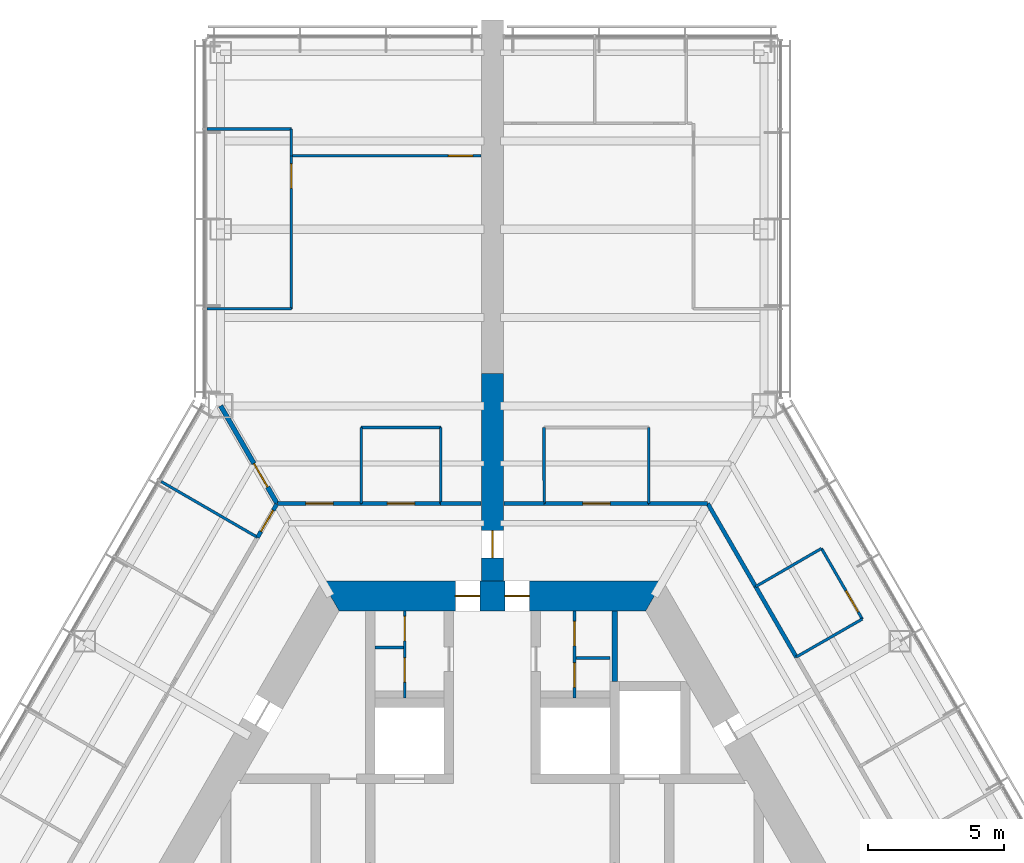
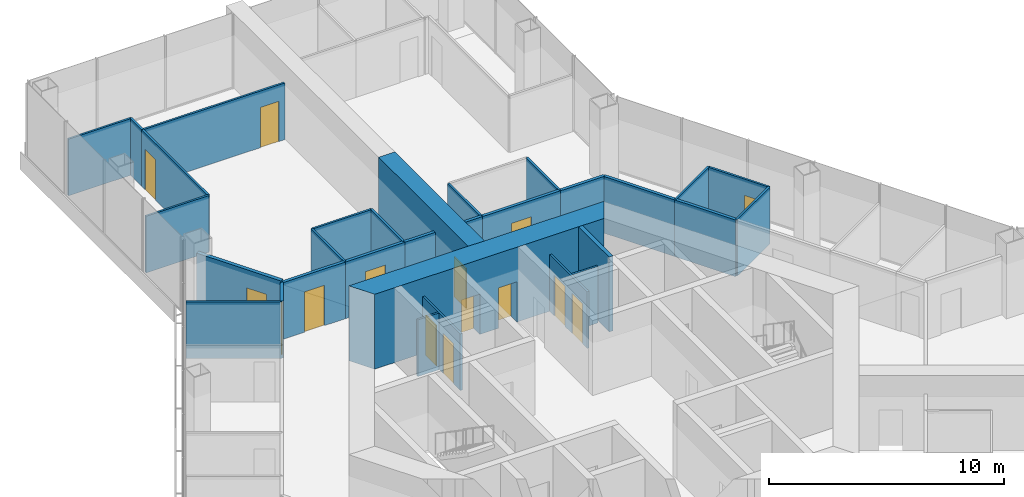
# One storey, part 15 of 19: 31 walls, 15 doors, 15 openings.
"""IFC4 building model written with IfcOpenShell, lengths in metres."""

import ifcopenshell
import ifcopenshell.guid

model = None  # the IFC model being written
_history = None  # IfcOwnerHistory: only IFC2X3 demands one
_inside = {}  # id of a spatial element -> (the spatial element, [elements in it])
_under = {}  # id of a project, library or spatial element -> (it, [spatial elements below it])
_declared = {}  # id of a project -> (the project, [libraries it declares])
_typed = {}  # id of a type object -> (the type object, [elements of that type])
_made_of = {}  # id of a material, layer set ... -> (it, [elements and type objects made of it])


def new_model(schema):
    """Start an empty IFC model of exactly this schema.

    Asked for "IFC4X3", IfcOpenShell would pick the latest addendum, in which some entities
    have other attributes; the version numbers below select the first issue.
    IFC2X3 requires an IfcOwnerHistory on every rooted entity: one is made here for all.
    """
    global model, _history
    if schema == "IFC4X3":
        model = ifcopenshell.file(schema_version=(4, 3, 0, 0))
    else:
        model = ifcopenshell.file(schema=schema)
    _inside.clear()
    _under.clear()
    _declared.clear()
    _typed.clear()
    _made_of.clear()
    _history = None
    if model.schema == "IFC2X3":
        org = make("IfcOrganization", Name="unknown")
        user = make(
            "IfcPersonAndOrganization",
            ThePerson=make("IfcPerson", FamilyName="unknown"),
            TheOrganization=org,
        )
        app = make(
            "IfcApplication",
            ApplicationDeveloper=org,
            Version="unknown",
            ApplicationFullName="unknown",
            ApplicationIdentifier="unknown",
        )
        _history = make(
            "IfcOwnerHistory",
            OwningUser=user,
            OwningApplication=app,
            ChangeAction="ADDED",
            CreationDate=0,
        )
    return model


def make(cls, **values):
    """One entity of the class cls with the attributes given. An attribute that is None is left unset."""
    return model.create_entity(
        cls, **{name: value for name, value in values.items() if value is not None}
    )


def rooted(cls, **values):
    """An entity with a GlobalId (a new one), such as an element, a storey or a relation."""
    return make(cls, GlobalId=ifcopenshell.guid.new(), OwnerHistory=_history, **values)


def si_unit(unit_type, name, prefix=None):
    """IfcSIUnit, for example si_unit("LENGTHUNIT", "METRE", prefix="MILLI")."""
    return make("IfcSIUnit", UnitType=unit_type, Prefix=prefix, Name=name)


def assignment(units):
    """IfcUnitAssignment: the units of a project."""
    return None if units is None else make("IfcUnitAssignment", Units=units)


def point(xyz):
    """IfcCartesianPoint."""
    return None if xyz is None else make("IfcCartesianPoint", Coordinates=xyz)


def direction(xyz):
    """IfcDirection."""
    return None if xyz is None else make("IfcDirection", DirectionRatios=xyz)


def frame(location, z_axis=None, x_axis=None):
    """IfcAxis2Placement3D, a coordinate frame: its origin and axes. An axis left out is left unset."""
    return make(
        "IfcAxis2Placement3D",
        Location=point(location),
        Axis=direction(z_axis),
        RefDirection=direction(x_axis),
    )


def frame_2d(location, x_axis=None):
    """IfcAxis2Placement2D, a coordinate frame in the plane: its origin and x axis."""
    return make(
        "IfcAxis2Placement2D", Location=point(location), RefDirection=direction(x_axis)
    )


def origin():
    """The frame at (0, 0, 0) with its axes left unset."""
    return frame((0.0, 0.0, 0.0))


def place(relative_to, where):
    """IfcLocalPlacement: puts the frame where relative to a parent placement (None: the world)."""
    return make(
        "IfcLocalPlacement", PlacementRelTo=relative_to, RelativePlacement=where
    )


def context(
    kind, dimensions, precision=None, world=None, true_north=None, identifier=None
):
    """IfcGeometricRepresentationContext, for example the 3D "Model" context."""
    return make(
        "IfcGeometricRepresentationContext",
        ContextIdentifier=identifier,
        ContextType=kind,
        CoordinateSpaceDimension=dimensions,
        Precision=precision,
        WorldCoordinateSystem=world,
        TrueNorth=true_north,
    )


def subcontext(parent, identifier, kind, view, scale=None):
    """IfcGeometricRepresentationSubContext, for example "Body" below "Model"."""
    return make(
        "IfcGeometricRepresentationSubContext",
        ContextIdentifier=identifier,
        ContextType=kind,
        ParentContext=parent,
        TargetScale=scale,
        TargetView=view,
    )


def project(units=None, contexts=None):
    """IfcProject with its units and contexts."""
    return rooted(
        "IfcProject",
        Name="project",
        RepresentationContexts=contexts,
        UnitsInContext=assignment(units),
    )


def spatial(cls, under=None, at=None, **own):
    """A site, building, storey or space (cls), placed at a placement, below another one or the project."""
    s = rooted(cls, ObjectPlacement=at, **own)
    if under is not None:
        _under.setdefault(under.id(), (under, []))[1].append(s)
    return s


def polyline(points):
    """IfcPolyline through the points."""
    return make("IfcPolyline", Points=[point(p) for p in points])


def profile(cls, at=None, kind="AREA", **sizes):
    """A parametric profile (cls). Its sizes go by their IFC names, for example OverallWidth=200.0."""
    return make(cls, ProfileType=kind, Position=at, **sizes)


def rectangle(**sizes):
    """IfcRectangleProfileDef."""
    return profile("IfcRectangleProfileDef", **sizes)


def outline(outer, holes=None, kind="AREA"):
    """IfcArbitraryClosedProfileDef: a profile drawn as a closed curve; with holes, ...WithVoids."""
    if holes is None:
        return make("IfcArbitraryClosedProfileDef", ProfileType=kind, OuterCurve=outer)
    return make(
        "IfcArbitraryProfileDefWithVoids",
        ProfileType=kind,
        OuterCurve=outer,
        InnerCurves=holes,
    )


def extrude(swept, where, along, depth):
    """IfcExtrudedAreaSolid: the profile swept, set in the frame where, extruded along a direction by depth."""
    return make(
        "IfcExtrudedAreaSolid",
        SweptArea=swept,
        Position=where,
        ExtrudedDirection=direction(along),
        Depth=depth,
    )


def shape(context_of_items, identifier, shape_type, items):
    """IfcShapeRepresentation: the items that make up one representation, for example the "Body"."""
    return make(
        "IfcShapeRepresentation",
        ContextOfItems=context_of_items,
        RepresentationIdentifier=identifier,
        RepresentationType=shape_type,
        Items=items,
    )


def material(Name=None, Category=None):
    """IfcMaterial."""
    return make("IfcMaterial", Name=Name, Category=Category)


def layer(
    of_material, thickness, ventilated=None, Name=None, Category=None, Priority=None
):
    """IfcMaterialLayer: one layer of a wall or slab, of a material (None: an air gap)."""
    return make(
        "IfcMaterialLayer",
        Material=of_material,
        LayerThickness=thickness,
        IsVentilated=ventilated,
        Name=Name,
        Category=Category,
        Priority=Priority,
    )


def layer_set(layers, Name=None):
    """IfcMaterialLayerSet."""
    return make("IfcMaterialLayerSet", MaterialLayers=layers, LayerSetName=Name)


def made_of(thing, what):
    """Note that an element or type object is made of a material, layer set ...; save() writes the relation."""
    if what is not None:
        _made_of.setdefault(what.id(), (what, []))[1].append(thing)
    return thing


def type_object(cls, material=None, **own):
    """A type object (cls), such as IfcWallType, which elements share."""
    return made_of(rooted(cls, **own), material)


def element(
    cls,
    number,
    at=None,
    inside=None,
    cuts=None,
    type_object=None,
    material=None,
    context=None,
    identifier="Body",
    shape_type=None,
    held_by="IfcProductDefinitionShape",
    body=None,
    shapes=None,
    **own,
):
    """One element of the class cls, such as IfcWall. Its Tag is "e" and its number.

    at: its placement. inside: the storey or other place that contains it. cuts: it is an
    opening in that element (IfcRelVoidsElement). A single representation is given by context,
    identifier, shape_type and body (its items); several are given by shapes. held_by: the class
    of the entity that holds the representations. save() writes the other relations.
    """
    e = rooted(cls, Tag="e%d" % number, ObjectPlacement=at, **own)
    if body is not None:
        shapes = [shape(context, identifier, shape_type, body)]
    if shapes is not None:
        e.Representation = make(held_by, Representations=shapes)
    if inside is not None:
        _inside.setdefault(inside.id(), (inside, []))[1].append(e)
    if cuts is not None:
        rooted(
            "IfcRelVoidsElement", RelatingBuildingElement=cuts, RelatedOpeningElement=e
        )
    if type_object is not None:
        _typed.setdefault(type_object.id(), (type_object, []))[1].append(e)
    return made_of(e, material)


def fill(opening, filler):
    """IfcRelFillsElement: the door or window that sits in an opening."""
    return rooted(
        "IfcRelFillsElement",
        RelatingOpeningElement=opening,
        RelatedBuildingElement=filler,
    )


def aggregate(whole, parts):
    """IfcRelAggregates: a whole, such as a stair, and the parts it consists of."""
    return rooted("IfcRelAggregates", RelatingObject=whole, RelatedObjects=parts)


def save(model, path):
    """Write the relations noted so far, then the file.

    IfcRelAggregates (storeys below a building ...), IfcRelContainedInSpatialStructure (elements
    in a storey), IfcRelDefinesByType, IfcRelAssociatesMaterial and IfcRelDeclares: one each for
    every whole, place, type object, material and project.
    """
    for whole, parts in _under.values():
        aggregate(whole, parts)
    for where, things in _inside.values():
        rooted(
            "IfcRelContainedInSpatialStructure",
            RelatedElements=things,
            RelatingStructure=where,
        )
    for kind, things in _typed.values():
        rooted("IfcRelDefinesByType", RelatedObjects=things, RelatingType=kind)
    for what, things in _made_of.values():
        rooted("IfcRelAssociatesMaterial", RelatedObjects=things, RelatingMaterial=what)
    for by, libraries in _declared.values():
        rooted("IfcRelDeclares", RelatingContext=by, RelatedDefinitions=libraries)
    model.write(path)


model = new_model("IFC4")

# Units and contexts
model_context = context("Model", 3, precision=1e-05, world=origin(), true_north=direction((0.0, 1.0)))
body_context = subcontext(model_context, "Body", "Model", "MODEL_VIEW")
ifc_project = project(units=[si_unit("LENGTHUNIT", "METRE"), si_unit("AREAUNIT", "SQUARE_METRE"), si_unit("VOLUMEUNIT", "CUBIC_METRE"), si_unit("PLANEANGLEUNIT", "RADIAN"), si_unit("MASSUNIT", "GRAM", prefix="KILO")], contexts=[model_context])

# Site, building, storey
site_placement = place(None, origin())
site = spatial("IfcSite", under=ifc_project, at=site_placement, CompositionType="ELEMENT")
building_placement = place(site_placement, origin())
building = spatial("IfcBuilding", under=site, at=building_placement, Name="Kasaneha Research Tower", CompositionType="ELEMENT")
storey_placement = place(building_placement, frame((0.0, 0.0, 96.300048828125)))
storey = spatial("IfcBuildingStorey", under=building, at=storey_placement, Name="L24", CompositionType="ELEMENT", Elevation=96.300048828125)

# Wall, openings, doors
ifc_material_1 = material(Name="Concrete Fc80", Category="concrete")
ifc_layer_1 = layer(ifc_material_1, 1.10009765625)
ifc_layer_set_1 = layer_set([ifc_layer_1], Name="Core wall 1100 Fc80")
wall_type_1 = type_object("IfcWallType", Name="Core wall 1100 Fc80", PredefinedType="SHEAR", material=ifc_layer_set_1)
wall_1_placement = place(storey_placement, frame((5.961181640625, 10.324951171875, 0.0), z_axis=(0.0, 0.0, 1.0), x_axis=(-1.0, 0.0, 0.0)))
wall_1 = element("IfcWall", 1, at=wall_1_placement, inside=storey, type_object=wall_type_1, Name="Core wall 090 L24", PredefinedType="SHEAR", context=body_context, shape_type="SweptSolid", body=[
    extrude(outline(polyline([(-0.317626953125, -0.550048828125), (4.5986328125, -0.550048828125), (5.49853515625, -0.550048828125), (6.423583984375, -0.550048828125), (7.323486328125, -0.550048828125), (12.239990234375, -0.550048828125), (11.604736328125, 0.550048828125), (7.323486328125, 0.550048828125), (6.423583984375, 0.550048828125), (5.49853515625, 0.550048828125), (4.5986328125, 0.550048828125), (0.317626953125, 0.550048828125), (-0.317626953125, -0.550048828125)])), origin(), (0.0, 0.0, 1.0), 3.89990234375),
])
opening_1_placement = place(wall_1_placement, frame((6.423583984375, 0.0, 0.0)))
opening_1 = element("IfcOpeningElement", 2, at=opening_1_placement, cuts=wall_1, Name="Opening L24-D01", PredefinedType="OPENING", context=body_context, shape_type="SweptSolid", body=[
    extrude(rectangle(XDim=0.89990234375, YDim=2.10009765625, at=frame_2d((0.449951171875, 1.050048828125))), frame((0.0, 0.56005859375, 0.0), z_axis=(0.0, -1.0, 0.0), x_axis=(1.0, 0.0, 0.0)), (0.0, 0.0, 1.0), 1.1201171875),
])
opening_2_placement = place(wall_1_placement, frame((4.5986328125, 0.0, 0.0)))
opening_2 = element("IfcOpeningElement", 3, at=opening_2_placement, cuts=wall_1, Name="Opening L24-D02", PredefinedType="OPENING", context=body_context, shape_type="SweptSolid", body=[
    extrude(rectangle(XDim=0.89990234375, YDim=2.10009765625, at=frame_2d((0.449951171875, 1.050048828125))), frame((0.0, 0.56005859375, 0.0), z_axis=(0.0, -1.0, 0.0), x_axis=(1.0, 0.0, 0.0)), (0.0, 0.0, 1.0), 1.1201171875),
])
ifc_material_2 = material(Name="Steel", Category="steel")
door_type_1 = type_object("IfcDoorType", Name="Toilet door FD20 900x2100", OperationType="NOTDEFINED", PredefinedType="DOOR", material=ifc_material_2)
door_1_placement = place(opening_1_placement, origin())
door_1 = element("IfcDoor", 4, at=door_1_placement, inside=storey, type_object=door_type_1, Name="Core door north 1 L24-D01", OperationType="SINGLE_SWING_RIGHT", OverallHeight=2.10009765625, OverallWidth=0.89990234375, PredefinedType="DOOR", context=body_context, shape_type="SweptSolid", body=[
    extrude(rectangle(XDim=0.89990234375, YDim=2.10009765625, at=frame_2d((0.449951171875, 1.050048828125))), frame((0.0, 0.02490234375, 0.0), z_axis=(0.0, -1.0, 0.0), x_axis=(1.0, 0.0, 0.0)), (0.0, 0.0, 1.0), 0.050048828125),
])
fill(opening_1, door_1)
door_2_placement = place(opening_2_placement, origin())
door_2 = element("IfcDoor", 5, at=door_2_placement, inside=storey, type_object=door_type_1, Name="Core door north 2 L24-D02", OperationType="SINGLE_SWING_LEFT", OverallHeight=2.10009765625, OverallWidth=0.89990234375, PredefinedType="DOOR", context=body_context, shape_type="SweptSolid", body=[
    extrude(rectangle(XDim=0.89990234375, YDim=2.10009765625, at=frame_2d((0.449951171875, 1.050048828125))), frame((0.0, 0.02490234375, 0.0), z_axis=(0.0, -1.0, 0.0), x_axis=(1.0, 0.0, 0.0)), (0.0, 0.0, 1.0), 0.050048828125),
])
fill(opening_2, door_2)

ifc_material_3 = material(Name="Gypsum board on steel studs, one layer each side", Category="steel")
ifc_layer_2 = layer(ifc_material_3, 0.10009765625)
ifc_layer_set_2 = layer_set([ifc_layer_2], Name="Office partition 100")
wall_type_2 = type_object("IfcWallType", Name="Office partition 100", PredefinedType="PARTITIONING", material=ifc_layer_set_2)
wall_2_placement = place(storey_placement, frame((-3.22509765625, 6.574951171875, 0.0), z_axis=(0.0, 0.0, 1.0), x_axis=(0.0, 1.0, 0.0)))
wall_2 = element("IfcWall", 6, at=wall_2_placement, inside=storey, type_object=wall_type_2, Name="Office partition TBM1 L24", PredefinedType="PARTITIONING", context=body_context, shape_type="SweptSolid", body=[
    extrude(rectangle(XDim=3.199951171875, YDim=0.10009765625, at=frame_2d((1.60009765625, 0.0))), origin(), (0.0, 0.0, 1.0), 2.949951171875),
])
opening_3_placement = place(wall_2_placement, frame((0.574951171875, 0.0, 0.0)))
opening_3 = element("IfcOpeningElement", 7, at=opening_3_placement, cuts=wall_2, Name="Opening L24-D20", PredefinedType="OPENING", context=body_context, shape_type="SweptSolid", body=[
    extrude(rectangle(XDim=0.89990234375, YDim=2.10009765625, at=frame_2d((0.449951171875, 1.050048828125))), frame((0.0, 0.06005859375, 0.0), z_axis=(0.0, -1.0, 0.0), x_axis=(1.0, 0.0, 0.0)), (0.0, 0.0, 1.0), 0.1201171875),
])
opening_4_placement = place(wall_2_placement, frame((2.10009765625, 0.0, 0.0)))
opening_4 = element("IfcOpeningElement", 8, at=opening_4_placement, cuts=wall_2, Name="Opening L24-D21", PredefinedType="OPENING", context=body_context, shape_type="SweptSolid", body=[
    extrude(rectangle(XDim=0.89990234375, YDim=2.10009765625, at=frame_2d((0.449951171875, 1.050048828125))), frame((0.0, 0.06005859375, 0.0), z_axis=(0.0, -1.0, 0.0), x_axis=(1.0, 0.0, 0.0)), (0.0, 0.0, 1.0), 0.1201171875),
])
ifc_material_4 = material(Name="Steel", Category="steel")
door_type_2 = type_object("IfcDoorType", Name="Toilet lobby door FD30 900x2100", OperationType="NOTDEFINED", PredefinedType="DOOR", material=ifc_material_4)
door_3_placement = place(opening_3_placement, origin())
door_3 = element("IfcDoor", 9, at=door_3_placement, inside=storey, type_object=door_type_2, Name="Men's WC door L24-D20", OperationType="SINGLE_SWING_RIGHT", OverallHeight=2.10009765625, OverallWidth=0.89990234375, PredefinedType="DOOR", context=body_context, shape_type="SweptSolid", body=[
    extrude(rectangle(XDim=0.89990234375, YDim=2.10009765625, at=frame_2d((0.449951171875, 1.050048828125))), frame((0.0, 0.02490234375, 0.0), z_axis=(0.0, -1.0, 0.0), x_axis=(1.0, 0.0, 0.0)), (0.0, 0.0, 1.0), 0.050048828125),
])
fill(opening_3, door_3)
door_4_placement = place(opening_4_placement, origin())
door_4 = element("IfcDoor", 10, at=door_4_placement, inside=storey, type_object=door_type_2, Name="Cleaner's store door L24-D21", OperationType="SINGLE_SWING_RIGHT", OverallHeight=2.10009765625, OverallWidth=0.89990234375, PredefinedType="DOOR", context=body_context, shape_type="SweptSolid", body=[
    extrude(rectangle(XDim=0.89990234375, YDim=2.10009765625, at=frame_2d((0.449951171875, 1.050048828125))), frame((0.0, 0.02490234375, 0.0), z_axis=(0.0, -1.0, 0.0), x_axis=(1.0, 0.0, 0.0)), (0.0, 0.0, 1.0), 0.050048828125),
])
fill(opening_4, door_4)

# Wall
wall_3_placement = place(storey_placement, frame((-3.27490234375, 8.425048828125, 0.0), z_axis=(0.0, 0.0, 1.0), x_axis=(-1.0, 0.0, 0.0)))
element("IfcWall", 11, at=wall_3_placement, inside=storey, type_object=wall_type_2, Name="Office partition TBM2 L24", PredefinedType="PARTITIONING", context=body_context, shape_type="SweptSolid", body=[
    extrude(rectangle(XDim=1.050048828125, YDim=0.10009765625, at=frame_2d((0.52490234375, 0.0))), origin(), (0.0, 0.0, 1.0), 2.949951171875),
])

# Wall, openings, doors
wall_4_placement = place(storey_placement, frame((3.02490234375, 6.574951171875, 0.0), z_axis=(0.0, 0.0, 1.0), x_axis=(0.0, 1.0, 0.0)))
wall_4 = element("IfcWall", 12, at=wall_4_placement, inside=storey, type_object=wall_type_2, Name="Office partition TBF1 L24", PredefinedType="PARTITIONING", context=body_context, shape_type="SweptSolid", body=[
    extrude(rectangle(XDim=3.199951171875, YDim=0.10009765625, at=frame_2d((1.60009765625, 0.0))), origin(), (0.0, 0.0, 1.0), 2.949951171875),
])
opening_5_placement = place(wall_4_placement, frame((0.385009765625, 0.0, 0.0)))
opening_5 = element("IfcOpeningElement", 13, at=opening_5_placement, cuts=wall_4, Name="Opening L24-D22", PredefinedType="OPENING", context=body_context, shape_type="SweptSolid", body=[
    extrude(rectangle(XDim=0.89990234375, YDim=2.10009765625, at=frame_2d((0.449951171875, 1.050048828125))), frame((0.0, 0.06005859375, 0.0), z_axis=(0.0, -1.0, 0.0), x_axis=(1.0, 0.0, 0.0)), (0.0, 0.0, 1.0), 0.1201171875),
])
opening_6_placement = place(wall_4_placement, frame((1.909912109375, 0.0, 0.0)))
opening_6 = element("IfcOpeningElement", 14, at=opening_6_placement, cuts=wall_4, Name="Opening L24-D23", PredefinedType="OPENING", context=body_context, shape_type="SweptSolid", body=[
    extrude(rectangle(XDim=0.89990234375, YDim=2.10009765625, at=frame_2d((0.449951171875, 1.050048828125))), frame((0.0, 0.06005859375, 0.0), z_axis=(0.0, -1.0, 0.0), x_axis=(1.0, 0.0, 0.0)), (0.0, 0.0, 1.0), 0.1201171875),
])
door_5_placement = place(opening_5_placement, origin())
door_5 = element("IfcDoor", 15, at=door_5_placement, inside=storey, type_object=door_type_2, Name="Women's WC door L24-D22", OperationType="SINGLE_SWING_RIGHT", OverallHeight=2.10009765625, OverallWidth=0.89990234375, PredefinedType="DOOR", context=body_context, shape_type="SweptSolid", body=[
    extrude(rectangle(XDim=0.89990234375, YDim=2.10009765625, at=frame_2d((0.449951171875, 1.050048828125))), frame((0.0, 0.02490234375, 0.0), z_axis=(0.0, -1.0, 0.0), x_axis=(1.0, 0.0, 0.0)), (0.0, 0.0, 1.0), 0.050048828125),
])
fill(opening_5, door_5)
door_6_placement = place(opening_6_placement, origin())
door_6 = element("IfcDoor", 16, at=door_6_placement, inside=storey, type_object=door_type_2, Name="Shower room door L24-D23", OperationType="SINGLE_SWING_RIGHT", OverallHeight=2.10009765625, OverallWidth=0.89990234375, PredefinedType="DOOR", context=body_context, shape_type="SweptSolid", body=[
    extrude(rectangle(XDim=0.89990234375, YDim=2.10009765625, at=frame_2d((0.449951171875, 1.050048828125))), frame((0.0, 0.02490234375, 0.0), z_axis=(0.0, -1.0, 0.0), x_axis=(1.0, 0.0, 0.0)), (0.0, 0.0, 1.0), 0.050048828125),
])
fill(opening_6, door_6)

# Walls
wall_5_placement = place(storey_placement, frame((3.074951171875, 8.044921875, 0.0), z_axis=(0.0, 0.0, 1.0), x_axis=(1.0, 0.0, 0.0)))
element("IfcWall", 17, at=wall_5_placement, inside=storey, type_object=wall_type_2, Name="Office partition TBF2 L24", PredefinedType="PARTITIONING", context=body_context, shape_type="SweptSolid", body=[
    extrude(rectangle(XDim=1.25, YDim=0.10009765625, at=frame_2d((0.625, 0.0))), origin(), (0.0, 0.0, 1.0), 2.949951171875),
])
for number, where, z_axis, x_axis, name in (
    (18, (1.904541015625, 13.72509765625, 0.0), (0.0, 0.0, 1.0), (-0.001656781821, 0.999998627536, 0.0), "Office partition FAE10 L24"),
    (19, (5.757080078125, 16.52490234375, 0.0), (0.0, 0.0, 1.0), (-0.001656781821, -0.999998627536, 0.0), "Office partition FAE11 L24"),
):
    element("IfcWall", number, at=place(storey_placement, frame(where, z_axis=z_axis, x_axis=x_axis)), inside=storey, type_object=wall_type_2, Name=name, PredefinedType="PARTITIONING", context=body_context, shape_type="SweptSolid", body=[
        extrude(rectangle(XDim=2.7998046875, YDim=0.10009765625, at=frame_2d((1.39990234375, 0.0))), origin(), (0.0, 0.0, 1.0), 2.949951171875),
    ])
wall_6_placement = place(storey_placement, frame((9.6884765625, 10.669189453125, 0.0), z_axis=(0.0, 0.0, 1.0), x_axis=(0.865233198925, 0.501369635576, 0.0)))
element("IfcWall", 20, at=wall_6_placement, inside=storey, type_object=wall_type_2, Name="Office partition FAE12 L24", PredefinedType="PARTITIONING", context=body_context, shape_type="SweptSolid", body=[
    extrude(rectangle(XDim=2.800048828125, YDim=0.10009765625, at=frame_2d((1.39990234375, 0.0))), origin(), (0.0, 0.0, 1.0), 2.949951171875),
])

# Wall, opening, door
wall_7_placement = place(storey_placement, frame((12.111083984375, 12.072998046875, 0.0), z_axis=(0.0, 0.0, 1.0), x_axis=(0.499990139034, -0.866031096941, 0.0)))
wall_7 = element("IfcWall", 21, at=wall_7_placement, inside=storey, type_object=wall_type_2, Name="Office partition FAE13 L24", PredefinedType="PARTITIONING", context=body_context, shape_type="SweptSolid", body=[
    extrude(rectangle(XDim=3.0, YDim=0.10009765625, at=frame_2d((1.5, 0.0))), origin(), (0.0, 0.0, 1.0), 2.949951171875),
])
opening_7_placement = place(wall_7_placement, frame((1.800048828125, 0.0, 0.0)))
opening_7 = element("IfcOpeningElement", 22, at=opening_7_placement, cuts=wall_7, Name="Opening L24-D30", PredefinedType="OPENING", context=body_context, shape_type="SweptSolid", body=[
    extrude(rectangle(XDim=0.89990234375, YDim=2.10009765625, at=frame_2d((0.449951171875, 1.050048828125))), frame((0.0, 0.06005859375, 0.0), z_axis=(0.0, -1.0, 0.0), x_axis=(1.0, 0.0, 0.0)), (0.0, 0.0, 1.0), 0.1201171875),
])
ifc_material_5 = material(Name="Timber veneer", Category="wood")
door_type_3 = type_object("IfcDoorType", Name="Office door 900x2100", OperationType="SINGLE_SWING_LEFT", PredefinedType="DOOR", material=ifc_material_5)
door_7_placement = place(opening_7_placement, origin())
door_7 = element("IfcDoor", 23, at=door_7_placement, inside=storey, type_object=door_type_3, Name="Pantry door L24-D30", OperationType="SINGLE_SWING_RIGHT", OverallHeight=2.10009765625, OverallWidth=0.89990234375, PredefinedType="DOOR", context=body_context, shape_type="SweptSolid", body=[
    extrude(rectangle(XDim=0.89990234375, YDim=2.10009765625, at=frame_2d((0.449951171875, 1.050048828125))), frame((0.0, 0.02490234375, 0.0), z_axis=(0.0, -1.0, 0.0), x_axis=(1.0, 0.0, 0.0)), (0.0, 0.0, 1.0), 0.050048828125),
])
fill(opening_7, door_7)

# Walls
wall_8_placement = place(storey_placement, frame((13.611083984375, 9.474853515625, 0.0), z_axis=(0.0, 0.0, 1.0), x_axis=(-0.866833758708, -0.498597267105, 0.0)))
element("IfcWall", 24, at=wall_8_placement, inside=storey, type_object=wall_type_2, Name="Office partition FAE14 L24", PredefinedType="PARTITIONING", context=body_context, shape_type="SweptSolid", body=[
    extrude(rectangle(XDim=2.7998046875, YDim=0.10009765625, at=frame_2d((1.39990234375, 0.0))), origin(), (0.0, 0.0, 1.0), 2.949951171875),
])
wall_9_placement = place(storey_placement, frame((-4.8291015625, 16.52490234375, 0.0), z_axis=(0.0, 0.0, 1.0), x_axis=(1.0, 0.0, 0.0)))
element("IfcWall", 25, at=wall_9_placement, inside=storey, type_object=wall_type_2, Name="Office partition FAW04 L24", PredefinedType="PARTITIONING", context=body_context, shape_type="SweptSolid", body=[
    extrude(rectangle(XDim=2.92919921875, YDim=0.10009765625, at=frame_2d((1.464599609375, 0.0))), origin(), (0.0, 0.0, 1.0), 2.949951171875),
])
for number, where, z_axis, x_axis, name in (
    (26, (-4.824462890625, 13.72509765625, 0.0), (0.0, 0.0, 1.0), (-0.001656781821, 0.999998627536, 0.0), "Office partition FAW05 L24"),
    (27, (-1.89990234375, 16.52490234375, 0.0), (0.0, 0.0, 1.0), (-0.001656781821, -0.999998627536, 0.0), "Office partition FAW06 L24"),
):
    element("IfcWall", number, at=place(storey_placement, frame(where, z_axis=z_axis, x_axis=x_axis)), inside=storey, type_object=wall_type_2, Name=name, PredefinedType="PARTITIONING", context=body_context, shape_type="SweptSolid", body=[
        extrude(rectangle(XDim=2.7998046875, YDim=0.10009765625, at=frame_2d((1.39990234375, 0.0))), origin(), (0.0, 0.0, 1.0), 2.949951171875),
    ])
wall_10_placement = place(storey_placement, frame((-10.5, 27.5107421875, 0.0), z_axis=(0.0, 0.0, 1.0), x_axis=(1.0, 0.0, 0.0)))
element("IfcWall", 28, at=wall_10_placement, inside=storey, type_object=wall_type_2, Name="Office partition FAW07 L24", PredefinedType="PARTITIONING", context=body_context, shape_type="SweptSolid", body=[
    extrude(rectangle(XDim=3.10009765625, YDim=0.10009765625, at=frame_2d((1.550048828125, 0.0))), origin(), (0.0, 0.0, 1.0), 2.949951171875),
])
wall_11_placement = place(storey_placement, frame((-7.39990234375, 27.5107421875, 0.0), z_axis=(0.0, 0.0, 1.0), x_axis=(0.0, -1.0, 0.0)))
element("IfcWall", 29, at=wall_11_placement, inside=storey, type_object=wall_type_2, Name="Office partition FAW08 L24", PredefinedType="PARTITIONING", context=body_context, shape_type="SweptSolid", body=[
    extrude(rectangle(XDim=0.996337890625, YDim=0.10009765625, at=frame_2d((0.498046875, 0.0))), origin(), (0.0, 0.0, 1.0), 2.949951171875),
])
wall_12_placement = place(storey_placement, frame((-7.39990234375, 20.89111328125, 0.0), z_axis=(0.0, 0.0, 1.0), x_axis=(-1.0, 0.0, 0.0)))
element("IfcWall", 30, at=wall_12_placement, inside=storey, type_object=wall_type_2, Name="Office partition FAW09 L24", PredefinedType="PARTITIONING", context=body_context, shape_type="SweptSolid", body=[
    extrude(rectangle(XDim=3.10009765625, YDim=0.10009765625, at=frame_2d((1.550048828125, 0.0))), origin(), (0.0, 0.0, 1.0), 2.949951171875),
])

# Wall, opening, door
wall_13_placement = place(storey_placement, frame((-7.39990234375, 26.5244140625, 0.0), z_axis=(0.0, 0.0, 1.0), x_axis=(0.0, -1.0, 0.0)))
wall_13 = element("IfcWall", 31, at=wall_13_placement, inside=storey, type_object=wall_type_2, Name="Office partition FAW10 L24", PredefinedType="PARTITIONING", context=body_context, shape_type="SweptSolid", body=[
    extrude(rectangle(XDim=5.63330078125, YDim=0.10009765625, at=frame_2d((2.816650390625, 0.0))), origin(), (0.0, 0.0, 1.0), 2.949951171875),
])
opening_8_placement = place(wall_13_placement, frame((0.300048828125, 0.0, 0.0)))
opening_8 = element("IfcOpeningElement", 32, at=opening_8_placement, cuts=wall_13, Name="Opening L24-D37", PredefinedType="OPENING", context=body_context, shape_type="SweptSolid", body=[
    extrude(rectangle(XDim=0.89990234375, YDim=2.10009765625, at=frame_2d((0.449951171875, 1.050048828125))), frame((0.0, 0.06005859375, 0.0), z_axis=(0.0, -1.0, 0.0), x_axis=(1.0, 0.0, 0.0)), (0.0, 0.0, 1.0), 0.1201171875),
])
door_8_placement = place(opening_8_placement, origin())
door_8 = element("IfcDoor", 33, at=door_8_placement, inside=storey, type_object=door_type_3, Name="Manager's office door L24-D37", OperationType="SINGLE_SWING_LEFT", OverallHeight=2.10009765625, OverallWidth=0.89990234375, PredefinedType="DOOR", context=body_context, shape_type="SweptSolid", body=[
    extrude(rectangle(XDim=0.89990234375, YDim=2.10009765625, at=frame_2d((0.449951171875, 1.050048828125))), frame((0.0, 0.02490234375, 0.0), z_axis=(0.0, -1.0, 0.0), x_axis=(1.0, 0.0, 0.0)), (0.0, 0.0, 1.0), 0.050048828125),
])
fill(opening_8, door_8)

wall_14_placement = place(storey_placement, frame((-0.419921875, 26.5205078125, 0.0), z_axis=(0.0, 0.0, 1.0), x_axis=(-0.999999843393, 0.000559655724, 0.0)))
wall_14 = element("IfcWall", 34, at=wall_14_placement, inside=storey, type_object=wall_type_2, Name="Office partition FAW11 L24", PredefinedType="PARTITIONING", context=body_context, shape_type="SweptSolid", body=[
    extrude(rectangle(XDim=6.979736328125, YDim=0.10009765625, at=frame_2d((3.48974609375, 0.0))), origin(), (0.0, 0.0, 1.0), 2.949951171875),
])
opening_9_placement = place(wall_14_placement, frame((0.300048828125, 0.0, 0.0)))
opening_9 = element("IfcOpeningElement", 35, at=opening_9_placement, cuts=wall_14, Name="Opening L24-D38", PredefinedType="OPENING", context=body_context, shape_type="SweptSolid", body=[
    extrude(rectangle(XDim=0.89990234375, YDim=2.10009765625, at=frame_2d((0.449951171875, 1.050048828125))), frame((0.0, 0.06005859375, 0.0), z_axis=(0.0, -1.0, 0.0), x_axis=(1.0, 0.0, 0.0)), (0.0, 0.0, 1.0), 0.1201171875),
])
door_9_placement = place(opening_9_placement, origin())
door_9 = element("IfcDoor", 36, at=door_9_placement, inside=storey, type_object=door_type_3, Name="Meeting room door L24-D38", OperationType="SINGLE_SWING_LEFT", OverallHeight=2.10009765625, OverallWidth=0.89990234375, PredefinedType="DOOR", context=body_context, shape_type="SweptSolid", body=[
    extrude(rectangle(XDim=0.89990234375, YDim=2.10009765625, at=frame_2d((0.449951171875, 1.050048828125))), frame((0.0, 0.02490234375, 0.0), z_axis=(0.0, -1.0, 0.0), x_axis=(1.0, 0.0, 0.0)), (0.0, 0.0, 1.0), 0.050048828125),
])
fill(opening_9, door_9)

# Walls
wall_15_placement = place(storey_placement, frame((-12.1865234375, 14.533203125, 0.0), z_axis=(0.0, 0.0, 1.0), x_axis=(0.865415401406, -0.501055069837, 0.0)))
element("IfcWall", 37, at=wall_15_placement, inside=storey, type_object=wall_type_2, Name="Office partition FBN15 L24", PredefinedType="PARTITIONING", context=body_context, shape_type="SweptSolid", body=[
    extrude(rectangle(XDim=4.095458984375, YDim=0.10009765625, at=frame_2d((2.0478515625, 0.0))), origin(), (0.0, 0.0, 1.0), 2.949951171875),
])
ifc_material_6 = material(Name="Concrete block", Category="concrete")
ifc_layer_3 = layer(ifc_material_6, 0.199951171875)
ifc_layer_set_3 = layer_set([ifc_layer_3], Name="Riser enclosure wall 200")
wall_type_3 = type_object("IfcWallType", Name="Riser enclosure wall 200", PredefinedType="STANDARD", material=ifc_layer_set_3)
wall_16_placement = place(storey_placement, frame((4.5, 7.175048828125, 0.0), z_axis=(0.0, 0.0, 1.0), x_axis=(0.0, 1.0, 0.0)))
element("IfcWall", 38, at=wall_16_placement, inside=storey, type_object=wall_type_3, Name="Riser enclosure wall L24", PredefinedType="STANDARD", context=body_context, shape_type="SweptSolid", body=[
    extrude(rectangle(XDim=2.599853515625, YDim=0.199951171875, at=frame_2d((1.2998046875, 0.0))), origin(), (0.0, 0.0, 1.0), 3.89990234375),
])

# Wall, opening, door
ifc_material_7 = material(Name="Concrete Fc80", Category="concrete")
ifc_layer_4 = layer(ifc_material_7, 0.800048828125)
ifc_layer_set_4 = layer_set([ifc_layer_4], Name="Spine wall 800 Fc80")
wall_type_4 = type_object("IfcWallType", Name="Spine wall 800 Fc80", PredefinedType="SHEAR", material=ifc_layer_set_4)
wall_17_placement = place(storey_placement, frame((0.0, 10.875, 0.0), z_axis=(0.0, 0.0, 1.0), x_axis=(0.0, 1.0, 0.0)))
wall_17 = element("IfcWall", 39, at=wall_17_placement, inside=storey, type_object=wall_type_4, Name="Spine wall A L24", PredefinedType="SHEAR", context=body_context, shape_type="SweptSolid", body=[
    extrude(rectangle(XDim=7.6455078125, YDim=0.800048828125, at=frame_2d((3.82275390625, 0.0))), origin(), (0.0, 0.0, 1.0), 3.89990234375),
])
opening_10_placement = place(wall_17_placement, frame((0.85009765625, 0.0, 0.0)))
opening_10 = element("IfcOpeningElement", 40, at=opening_10_placement, cuts=wall_17, Name="Opening L24-D17", PredefinedType="OPENING", context=body_context, shape_type="SweptSolid", body=[
    extrude(rectangle(XDim=1.0, YDim=2.10009765625, at=frame_2d((0.5, 1.050048828125))), frame((0.0, 0.41015625, 0.0), z_axis=(0.0, -1.0, 0.0), x_axis=(1.0, 0.0, 0.0)), (0.0, 0.0, 1.0), 0.820068359375),
])
ifc_material_8 = material(Name="Steel", Category="steel")
door_type_4 = type_object("IfcDoorType", Name="Specified fire door FD60 1000x2100", OperationType="NOTDEFINED", PredefinedType="DOOR", material=ifc_material_8)
door_10_placement = place(opening_10_placement, origin())
door_10 = element("IfcDoor", 41, at=door_10_placement, inside=storey, type_object=door_type_4, Name="Spine doorway A L24-D17", OperationType="SINGLE_SWING_LEFT", OverallHeight=2.10009765625, OverallWidth=1.0, PredefinedType="DOOR", context=body_context, shape_type="SweptSolid", body=[
    extrude(rectangle(XDim=1.0, YDim=2.10009765625, at=frame_2d((0.5, 1.050048828125))), frame((0.0, 0.02490234375, 0.0), z_axis=(0.0, -1.0, 0.0), x_axis=(1.0, 0.0, 0.0)), (0.0, 0.0, 1.0), 0.050048828125),
])
fill(opening_10, door_10)

ifc_material_9 = material(Name="Gypsum board on steel studs, two layers each side", Category="steel")
ifc_layer_5 = layer(ifc_material_9, 0.14990234375)
ifc_layer_set_5 = layer_set([ifc_layer_5], Name="Suite partition 150")
wall_type_5 = type_object("IfcWallType", Name="Suite partition 150", PredefinedType="PARTITIONING", material=ifc_layer_set_5)
wall_18_placement = place(storey_placement, frame((1.89501953125, 13.72509765625, 0.0), z_axis=(0.0, 0.0, 1.0), x_axis=(1.0, 0.0, 0.0)))
wall_18 = element("IfcWall", 42, at=wall_18_placement, inside=storey, type_object=wall_type_5, Name="Suite partition FAE01 L24", PredefinedType="PARTITIONING", context=body_context, shape_type="SweptSolid", body=[
    extrude(rectangle(XDim=3.866943359375, YDim=0.14990234375, at=frame_2d((1.93359375, 0.0))), origin(), (0.0, 0.0, 1.0), 2.949951171875),
])
opening_11_placement = place(wall_18_placement, frame((1.43359375, 0.0, 0.0)))
opening_11 = element("IfcOpeningElement", 43, at=opening_11_placement, cuts=wall_18, Name="Opening L24-D27", PredefinedType="OPENING", context=body_context, shape_type="SweptSolid", body=[
    extrude(rectangle(XDim=1.0, YDim=2.10009765625, at=frame_2d((0.5, 1.050048828125))), frame((0.0, 0.0849609375, 0.0), z_axis=(0.0, -1.0, 0.0), x_axis=(1.0, 0.0, 0.0)), (0.0, 0.0, 1.0), 0.169921875),
])
ifc_material_10 = material(Name="Steel", Category="steel")
door_type_5 = type_object("IfcDoorType", Name="Suite entrance door FD60 1000x2100", OperationType="NOTDEFINED", PredefinedType="DOOR", material=ifc_material_10)
door_11_placement = place(opening_11_placement, origin())
door_11 = element("IfcDoor", 44, at=door_11_placement, inside=storey, type_object=door_type_5, Name="Suite entrance door L24-D27", OperationType="SINGLE_SWING_LEFT", OverallHeight=2.10009765625, OverallWidth=1.0, PredefinedType="DOOR", context=body_context, shape_type="SweptSolid", body=[
    extrude(rectangle(XDim=1.0, YDim=2.10009765625, at=frame_2d((0.5, 1.050048828125))), frame((0.0, 0.02490234375, 0.0), z_axis=(0.0, -1.0, 0.0), x_axis=(1.0, 0.0, 0.0)), (0.0, 0.0, 1.0), 0.050048828125),
])
fill(opening_11, door_11)

# Walls
wall_19_placement = place(storey_placement, frame((9.68359375, 10.67724609375, 0.0), z_axis=(0.0, 0.0, 1.0), x_axis=(0.500038395149, -0.8660032352, 0.0)))
element("IfcWall", 45, at=wall_19_placement, inside=storey, type_object=wall_type_5, Name="Suite partition FAE02 L24", PredefinedType="PARTITIONING", context=body_context, shape_type="SweptSolid", body=[
    extrude(rectangle(XDim=3.010009765625, YDim=0.14990234375, at=frame_2d((1.5048828125, 0.0))), origin(), (0.0, 0.0, 1.0), 2.949951171875),
])
wall_20_placement = place(storey_placement, frame((0.419921875, 13.72509765625, 0.0), z_axis=(0.0, 0.0, 1.0), x_axis=(1.0, 0.0, 0.0)))
element("IfcWall", 46, at=wall_20_placement, inside=storey, type_object=wall_type_5, Name="Suite partition FAE05 L24", PredefinedType="PARTITIONING", context=body_context, shape_type="SweptSolid", body=[
    extrude(rectangle(XDim=1.484619140625, YDim=0.14990234375, at=frame_2d((0.7421875, 0.0))), origin(), (0.0, 0.0, 1.0), 2.949951171875),
])
wall_21_placement = place(storey_placement, frame((5.75244140625, 13.72509765625, 0.0), z_axis=(0.0, 0.0, 1.0), x_axis=(1.0, 0.0, 0.0)))
element("IfcWall", 47, at=wall_21_placement, inside=storey, type_object=wall_type_5, Name="Suite partition FAE06 L24", PredefinedType="PARTITIONING", context=body_context, shape_type="SweptSolid", body=[
    extrude(rectangle(XDim=2.171630859375, YDim=0.14990234375, at=frame_2d((1.0859375, 0.0))), origin(), (0.0, 0.0, 1.0), 2.949951171875),
])
wall_22_placement = place(storey_placement, frame((7.924072265625, 13.72509765625, 0.0), z_axis=(0.0, 0.0, 1.0), x_axis=(0.500015913693, -0.866016215815, 0.0)))
element("IfcWall", 48, at=wall_22_placement, inside=storey, type_object=wall_type_5, Name="Suite partition FAE07 L24", PredefinedType="PARTITIONING", context=body_context, shape_type="SweptSolid", body=[
    extrude(rectangle(XDim=3.52880859375, YDim=0.14990234375, at=frame_2d((1.764404296875, 0.0))), origin(), (0.0, 0.0, 1.0), 2.949951171875),
])

# Wall, opening, door
wall_23_placement = place(storey_placement, frame((-4.833984375, 13.72509765625, 0.0), z_axis=(0.0, 0.0, 1.0), x_axis=(1.0, 0.0, 0.0)))
wall_23 = element("IfcWall", 49, at=wall_23_placement, inside=storey, type_object=wall_type_5, Name="Suite partition FAW01 L24", PredefinedType="PARTITIONING", context=body_context, shape_type="SweptSolid", body=[
    extrude(rectangle(XDim=2.93896484375, YDim=0.14990234375, at=frame_2d((1.469482421875, 0.0))), origin(), (0.0, 0.0, 1.0), 2.949951171875),
])
opening_12_placement = place(wall_23_placement, frame((0.969482421875, 0.0, 0.0)))
opening_12 = element("IfcOpeningElement", 50, at=opening_12_placement, cuts=wall_23, Name="Opening L24-D35", PredefinedType="OPENING", context=body_context, shape_type="SweptSolid", body=[
    extrude(rectangle(XDim=1.0, YDim=2.10009765625, at=frame_2d((0.5, 1.050048828125))), frame((0.0, 0.0849609375, 0.0), z_axis=(0.0, -1.0, 0.0), x_axis=(1.0, 0.0, 0.0)), (0.0, 0.0, 1.0), 0.169921875),
])
door_12_placement = place(opening_12_placement, origin())
door_12 = element("IfcDoor", 51, at=door_12_placement, inside=storey, type_object=door_type_5, Name="Suite entrance door L24-D35", OperationType="SINGLE_SWING_RIGHT", OverallHeight=2.10009765625, OverallWidth=1.0, PredefinedType="DOOR", context=body_context, shape_type="SweptSolid", body=[
    extrude(rectangle(XDim=1.0, YDim=2.10009765625, at=frame_2d((0.5, 1.050048828125))), frame((0.0, 0.02490234375, 0.0), z_axis=(0.0, -1.0, 0.0), x_axis=(1.0, 0.0, 0.0)), (0.0, 0.0, 1.0), 0.050048828125),
])
fill(opening_12, door_12)

wall_24_placement = place(storey_placement, frame((-7.90087890625, 13.72509765625, 0.0), z_axis=(0.0, 0.0, 1.0), x_axis=(1.0, 0.0, 0.0)))
wall_24 = element("IfcWall", 52, at=wall_24_placement, inside=storey, type_object=wall_type_5, Name="Suite partition FAW02 L24", PredefinedType="PARTITIONING", context=body_context, shape_type="SweptSolid", body=[
    extrude(rectangle(XDim=3.076416015625, YDim=0.14990234375, at=frame_2d((1.5380859375, 0.0))), origin(), (0.0, 0.0, 1.0), 2.949951171875),
])
opening_13_placement = place(wall_24_placement, frame((1.0380859375, 0.0, 0.0)))
opening_13 = element("IfcOpeningElement", 53, at=opening_13_placement, cuts=wall_24, Name="Opening L24-D36", PredefinedType="OPENING", context=body_context, shape_type="SweptSolid", body=[
    extrude(rectangle(XDim=1.0, YDim=2.10009765625, at=frame_2d((0.5, 1.050048828125))), frame((0.0, 0.0849609375, 0.0), z_axis=(0.0, -1.0, 0.0), x_axis=(1.0, 0.0, 0.0)), (0.0, 0.0, 1.0), 0.169921875),
])
door_13_placement = place(opening_13_placement, origin())
door_13 = element("IfcDoor", 54, at=door_13_placement, inside=storey, type_object=door_type_5, Name="Suite entrance door L24-D36", OperationType="SINGLE_SWING_LEFT", OverallHeight=2.10009765625, OverallWidth=1.0, PredefinedType="DOOR", context=body_context, shape_type="SweptSolid", body=[
    extrude(rectangle(XDim=1.0, YDim=2.10009765625, at=frame_2d((0.5, 1.050048828125))), frame((0.0, 0.02490234375, 0.0), z_axis=(0.0, -1.0, 0.0), x_axis=(1.0, 0.0, 0.0)), (0.0, 0.0, 1.0), 0.050048828125),
])
fill(opening_13, door_13)

# Wall
wall_25_placement = place(storey_placement, frame((-1.904541015625, 13.72509765625, 0.0), z_axis=(0.0, 0.0, 1.0), x_axis=(1.0, 0.0, 0.0)))
element("IfcWall", 55, at=wall_25_placement, inside=storey, type_object=wall_type_5, Name="Suite partition FAW03 L24", PredefinedType="PARTITIONING", context=body_context, shape_type="SweptSolid", body=[
    extrude(rectangle(XDim=1.484619140625, YDim=0.14990234375, at=frame_2d((0.7421875, 0.0))), origin(), (0.0, 0.0, 1.0), 2.949951171875),
])

# Wall, opening, door
wall_26_placement = place(storey_placement, frame((-8.642333984375, 12.481201171875, 0.0), z_axis=(0.0, 0.0, 1.0), x_axis=(0.499966713218, 0.866044621064, 0.0)))
wall_26 = element("IfcWall", 56, at=wall_26_placement, inside=storey, type_object=wall_type_5, Name="Suite partition FBN03 L24", PredefinedType="PARTITIONING", context=body_context, shape_type="SweptSolid", body=[
    extrude(rectangle(XDim=1.4130859375, YDim=0.14990234375, at=frame_2d((0.70654296875, 0.0))), origin(), (0.0, 0.0, 1.0), 2.949951171875),
])
opening_14_placement = place(wall_26_placement, frame((0.25, 0.0, 0.0)))
opening_14 = element("IfcOpeningElement", 57, at=opening_14_placement, cuts=wall_26, Name="Opening L24-D39", PredefinedType="OPENING", context=body_context, shape_type="SweptSolid", body=[
    extrude(rectangle(XDim=0.89990234375, YDim=2.10009765625, at=frame_2d((0.449951171875, 1.050048828125))), frame((0.0, 0.0849609375, 0.0), z_axis=(0.0, -1.0, 0.0), x_axis=(1.0, 0.0, 0.0)), (0.0, 0.0, 1.0), 0.169921875),
])
door_14_placement = place(opening_14_placement, origin())
door_14 = element("IfcDoor", 58, at=door_14_placement, inside=storey, type_object=door_type_3, Name="Workroom door L24-D39", OperationType="SINGLE_SWING_LEFT", OverallHeight=2.10009765625, OverallWidth=0.89990234375, PredefinedType="DOOR", context=body_context, shape_type="SweptSolid", body=[
    extrude(rectangle(XDim=0.89990234375, YDim=2.10009765625, at=frame_2d((0.449951171875, 1.050048828125))), frame((0.0, 0.02490234375, 0.0), z_axis=(0.0, -1.0, 0.0), x_axis=(1.0, 0.0, 0.0)), (0.0, 0.0, 1.0), 0.050048828125),
])
fill(opening_14, door_14)

ifc_material_11 = material(Name="Gypsum board on steel studs, two layers each side", Category="steel")
ifc_layer_6 = layer(ifc_material_11, 0.175048828125)
ifc_layer_set_6 = layer_set([ifc_layer_6], Name="Tenancy fire partition 175")
wall_type_6 = type_object("IfcWallType", Name="Tenancy fire partition 175", PredefinedType="PARTITIONING", material=ifc_layer_set_6)
wall_27_placement = place(storey_placement, frame((-7.924072265625, 13.72509765625, 0.0), z_axis=(0.0, 0.0, 1.0), x_axis=(-0.500015991208, 0.866016171059, 0.0)))
wall_27 = element("IfcWall", 59, at=wall_27_placement, inside=storey, type_object=wall_type_6, Name="Tenancy fire partition T120 L24", PredefinedType="PARTITIONING", context=body_context, shape_type="SweptSolid", body=[
    extrude(rectangle(XDim=4.151611328125, YDim=0.175048828125, at=frame_2d((2.07568359375, 0.0))), origin(), (0.0, 0.0, 1.0), 3.050048828125),
])
opening_15_placement = place(wall_27_placement, frame((0.699951171875, 0.0, 0.0)))
opening_15 = element("IfcOpeningElement", 60, at=opening_15_placement, cuts=wall_27, Name="Opening L24-D25", PredefinedType="OPENING", context=body_context, shape_type="SweptSolid", body=[
    extrude(rectangle(XDim=1.0, YDim=2.10009765625, at=frame_2d((0.5, 1.050048828125))), frame((0.0, 0.09765625, 0.0), z_axis=(0.0, -1.0, 0.0), x_axis=(1.0, 0.0, 0.0)), (0.0, 0.0, 1.0), 0.195068359375),
])
door_15_placement = place(opening_15_placement, origin())
door_15 = element("IfcDoor", 61, at=door_15_placement, inside=storey, type_object=door_type_5, Name="Connecting door L24-D25", OperationType="SINGLE_SWING_LEFT", OverallHeight=2.10009765625, OverallWidth=1.0, PredefinedType="DOOR", context=body_context, shape_type="SweptSolid", body=[
    extrude(rectangle(XDim=1.0, YDim=2.10009765625, at=frame_2d((0.5, 1.050048828125))), frame((0.0, 0.02490234375, 0.0), z_axis=(0.0, -1.0, 0.0), x_axis=(1.0, 0.0, 0.0)), (0.0, 0.0, 1.0), 0.050048828125),
])
fill(opening_15, door_15)

save(model, "model.ifc")
